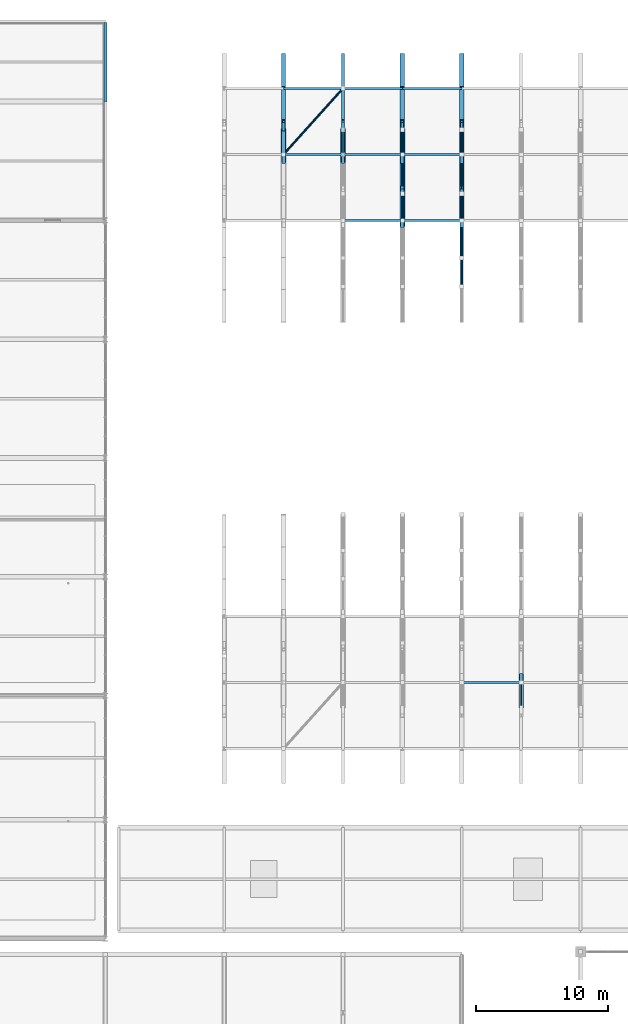
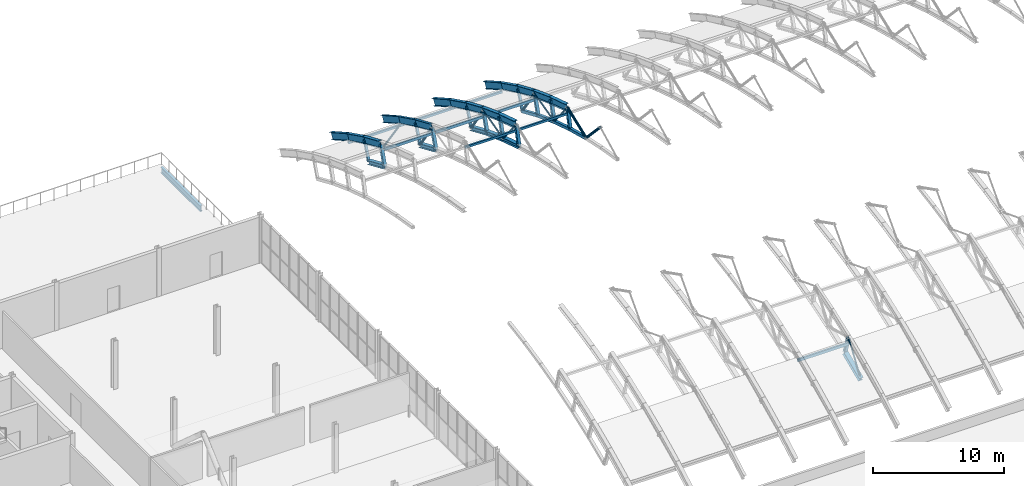
# One storey, part 38 of 103: 43 members, 17 beams.
"""IFC4 building model written with IfcOpenShell, lengths in metres."""

from ifc_helpers import new_model, si_unit, direction, frame, origin, origin_2d, place, context, subcontext, project, spatial, hollow_rectangle, hollow_circle, i_section, extrude, material, material_profile, profile_set, type_object, element, save


model = new_model("IFC4")

# Units and contexts
model_context = context("Model", 3, precision=1e-05, world=origin(), true_north=direction((0.0, 1.0)))
body_context = subcontext(model_context, "Body", "Model", "MODEL_VIEW")
ifc_project = project(units=[si_unit("LENGTHUNIT", "METRE"), si_unit("AREAUNIT", "SQUARE_METRE"), si_unit("VOLUMEUNIT", "CUBIC_METRE"), si_unit("PLANEANGLEUNIT", "RADIAN"), si_unit("MASSUNIT", "GRAM", prefix="KILO")], contexts=[model_context])

# Site, building, storey
site_placement = place(None, origin())
site = spatial("IfcSite", under=ifc_project, at=site_placement, CompositionType="ELEMENT")
building_placement = place(site_placement, origin())
building = spatial("IfcBuilding", under=site, at=building_placement, Name="Cazmaro Siding Exhibition Halls", CompositionType="ELEMENT")
storey_placement = place(building_placement, frame((0.0, 0.0, 16.5)))
storey = spatial("IfcBuildingStorey", under=building, at=storey_placement, Name="L03", CompositionType="ELEMENT", Elevation=16.5)

# Beams
ifc_material_1 = material(Name="Steel ASTM A992 Grade 50", Category="steel")
ifc_material_profile_1 = material_profile(ifc_material_1, i_section(OverallWidth=0.327880859375, OverallDepth=0.626953125, WebThickness=0.01708984375, FlangeThickness=0.028076171875, at=origin_2d()), Name="W24X146")
ifc_profile_set_1 = profile_set([ifc_material_profile_1], Name="Steel ASTM A992 Grade 50")
beam_type_1 = type_object("IfcBeamType", Name="AR-01", PredefinedType="USERDEFINED", material=ifc_profile_set_1)
beam_1_placement = place(storey_placement, frame((58.5, 109.0, 4.85498046875), z_axis=(0.0, 0.952769241759, -0.303695195811), x_axis=(-1.0, 0.0, 0.0)))
element("IfcBeam", 1, at=beam_1_placement, inside=storey, type_object=beam_type_1, Name="Space frame barrel vault arched rib AR-01 BM-0625", ObjectType="ARCHED RIB", PredefinedType="USERDEFINED", context=body_context, shape_type="SweptSolid", body=[
    extrude(i_section(OverallWidth=0.327880859375, OverallDepth=0.626953125, WebThickness=0.01708984375, FlangeThickness=0.028076171875, at=origin_2d()), origin(), (0.0, 0.0, 1.0), 2.6240234375),
])
beam_2_placement = place(storey_placement, frame((58.5, 111.5, 4.05810546875), z_axis=(0.0, 0.936509460339, -0.350642311615), x_axis=(-1.0, 0.0, 0.0)))
element("IfcBeam", 2, at=beam_2_placement, inside=storey, type_object=beam_type_1, Name="Space frame barrel vault arched rib AR-01 BM-0626", ObjectType="ARCHED RIB", PredefinedType="USERDEFINED", context=body_context, shape_type="SweptSolid", body=[
    extrude(i_section(OverallWidth=0.327880859375, OverallDepth=0.626953125, WebThickness=0.01708984375, FlangeThickness=0.028076171875, at=origin_2d()), origin(), (0.0, 0.0, 1.0), 2.66943359375),
])
beam_3_placement = place(storey_placement, frame((58.5, 114.0, 3.1220703125), z_axis=(0.0, 0.917729918626, -0.397204980405), x_axis=(-1.0, 0.0, 0.0)))
element("IfcBeam", 3, at=beam_3_placement, inside=storey, type_object=beam_type_1, Name="Space frame barrel vault arched rib AR-01 BM-0627", ObjectType="ARCHED RIB", PredefinedType="USERDEFINED", context=body_context, shape_type="SweptSolid", body=[
    extrude(i_section(OverallWidth=0.327880859375, OverallDepth=0.626953125, WebThickness=0.01708984375, FlangeThickness=0.028076171875, at=origin_2d()), origin(), (0.0, 0.0, 1.0), 2.72412109375),
])
beam_4_placement = place(storey_placement, frame((58.5, 116.5, 2.0400390625), z_axis=(0.0, 0.895996638269, -0.444060833908), x_axis=(-1.0, 0.0, 0.0)))
element("IfcBeam", 4, at=beam_4_placement, inside=storey, type_object=beam_type_1, Name="Space frame barrel vault arched rib AR-01 BM-0628", ObjectType="ARCHED RIB", PredefinedType="USERDEFINED", context=body_context, shape_type="SweptSolid", body=[
    extrude(i_section(OverallWidth=0.327880859375, OverallDepth=0.626953125, WebThickness=0.01708984375, FlangeThickness=0.028076171875, at=origin_2d()), origin(), (0.0, 0.0, 1.0), 2.790283203125),
])
beam_5_placement = place(storey_placement, frame((58.5, 119.0, 0.801025390625), z_axis=(0.0, 0.871320907359, -0.490713639916), x_axis=(-1.0, 0.0, 0.0)))
element("IfcBeam", 5, at=beam_5_placement, inside=storey, type_object=beam_type_1, Name="Space frame barrel vault arched rib AR-01 BM-0629", ObjectType="ARCHED RIB", PredefinedType="USERDEFINED", context=body_context, shape_type="SweptSolid", body=[
    extrude(i_section(OverallWidth=0.327880859375, OverallDepth=0.626953125, WebThickness=0.01708984375, FlangeThickness=0.028076171875, at=origin_2d()), origin(), (0.0, 0.0, 1.0), 2.869140625),
])
ifc_material_2 = material(Name="Steel ASTM A992 Grade 50", Category="steel")
ifc_material_profile_2 = material_profile(ifc_material_2, i_section(OverallWidth=0.324951171875, OverallDepth=0.612060546875, WebThickness=0.012939453125, FlangeThickness=0.01904296875, at=origin_2d()), Name="W24X104")
ifc_profile_set_2 = profile_set([ifc_material_profile_2], Name="Steel ASTM A992 Grade 50")
beam_type_2 = type_object("IfcBeamType", Name="AR-02", PredefinedType="USERDEFINED", material=ifc_profile_set_2)
beam_6_placement = place(storey_placement, frame((49.5, 114.0, 3.1220703125), z_axis=(0.0, 0.917729918626, -0.397204980405), x_axis=(-1.0, 0.0, 0.0)))
element("IfcBeam", 6, at=beam_6_placement, inside=storey, type_object=beam_type_2, Name="Space frame barrel vault arched rib AR-02 BM-0579", ObjectType="ARCHED RIB", PredefinedType="USERDEFINED", context=body_context, shape_type="SweptSolid", body=[
    extrude(i_section(OverallWidth=0.324951171875, OverallDepth=0.612060546875, WebThickness=0.012939453125, FlangeThickness=0.01904296875, at=origin_2d()), origin(), (0.0, 0.0, 1.0), 2.72412109375),
])
beam_7_placement = place(storey_placement, frame((49.5, 116.5, 2.0400390625), z_axis=(0.0, 0.895996638269, -0.444060833908), x_axis=(-1.0, 0.0, 0.0)))
element("IfcBeam", 7, at=beam_7_placement, inside=storey, type_object=beam_type_2, Name="Space frame barrel vault arched rib AR-02 BM-0580", ObjectType="ARCHED RIB", PredefinedType="USERDEFINED", context=body_context, shape_type="SweptSolid", body=[
    extrude(i_section(OverallWidth=0.324951171875, OverallDepth=0.612060546875, WebThickness=0.012939453125, FlangeThickness=0.01904296875, at=origin_2d()), origin(), (0.0, 0.0, 1.0), 2.790283203125),
])
beam_8_placement = place(storey_placement, frame((49.5, 119.0, 0.801025390625), z_axis=(0.0, 0.871320907359, -0.490713639916), x_axis=(-1.0, 0.0, 0.0)))
element("IfcBeam", 8, at=beam_8_placement, inside=storey, type_object=beam_type_2, Name="Space frame barrel vault arched rib AR-02 BM-0581", ObjectType="ARCHED RIB", PredefinedType="USERDEFINED", context=body_context, shape_type="SweptSolid", body=[
    extrude(i_section(OverallWidth=0.324951171875, OverallDepth=0.612060546875, WebThickness=0.012939453125, FlangeThickness=0.01904296875, at=origin_2d()), origin(), (0.0, 0.0, 1.0), 2.869140625),
])
beam_9_placement = place(storey_placement, frame((63.0, 109.0, 4.85498046875), z_axis=(0.0, 0.952769241759, -0.303695195811), x_axis=(-1.0, 0.0, 0.0)))
element("IfcBeam", 9, at=beam_9_placement, inside=storey, type_object=beam_type_2, Name="Space frame barrel vault arched rib AR-02 BM-0649", ObjectType="ARCHED RIB", PredefinedType="USERDEFINED", context=body_context, shape_type="SweptSolid", body=[
    extrude(i_section(OverallWidth=0.324951171875, OverallDepth=0.612060546875, WebThickness=0.012939453125, FlangeThickness=0.01904296875, at=origin_2d()), origin(), (0.0, 0.0, 1.0), 2.6240234375),
])
beam_10_placement = place(storey_placement, frame((63.0, 111.5, 4.05810546875), z_axis=(0.0, 0.936509460339, -0.350642311615), x_axis=(-1.0, 0.0, 0.0)))
element("IfcBeam", 10, at=beam_10_placement, inside=storey, type_object=beam_type_2, Name="Space frame barrel vault arched rib AR-02 BM-0650", ObjectType="ARCHED RIB", PredefinedType="USERDEFINED", context=body_context, shape_type="SweptSolid", body=[
    extrude(i_section(OverallWidth=0.324951171875, OverallDepth=0.612060546875, WebThickness=0.012939453125, FlangeThickness=0.01904296875, at=origin_2d()), origin(), (0.0, 0.0, 1.0), 2.66943359375),
])
beam_11_placement = place(storey_placement, frame((63.0, 114.0, 3.1220703125), z_axis=(0.0, 0.917729918626, -0.397204980405), x_axis=(-1.0, 0.0, 0.0)))
element("IfcBeam", 11, at=beam_11_placement, inside=storey, type_object=beam_type_2, Name="Space frame barrel vault arched rib AR-02 BM-0651", ObjectType="ARCHED RIB", PredefinedType="USERDEFINED", context=body_context, shape_type="SweptSolid", body=[
    extrude(i_section(OverallWidth=0.324951171875, OverallDepth=0.612060546875, WebThickness=0.012939453125, FlangeThickness=0.01904296875, at=origin_2d()), origin(), (0.0, 0.0, 1.0), 2.72412109375),
])
beam_12_placement = place(storey_placement, frame((63.0, 116.5, 2.0400390625), z_axis=(0.0, 0.895996638269, -0.444060833908), x_axis=(-1.0, 0.0, 0.0)))
element("IfcBeam", 12, at=beam_12_placement, inside=storey, type_object=beam_type_2, Name="Space frame barrel vault arched rib AR-02 BM-0652", ObjectType="ARCHED RIB", PredefinedType="USERDEFINED", context=body_context, shape_type="SweptSolid", body=[
    extrude(i_section(OverallWidth=0.324951171875, OverallDepth=0.612060546875, WebThickness=0.012939453125, FlangeThickness=0.01904296875, at=origin_2d()), origin(), (0.0, 0.0, 1.0), 2.790283203125),
])
beam_13_placement = place(storey_placement, frame((63.0, 119.0, 0.801025390625), z_axis=(0.0, 0.871320907359, -0.490713639916), x_axis=(-1.0, 0.0, 0.0)))
element("IfcBeam", 13, at=beam_13_placement, inside=storey, type_object=beam_type_2, Name="Space frame barrel vault arched rib AR-02 BM-0653", ObjectType="ARCHED RIB", PredefinedType="USERDEFINED", context=body_context, shape_type="SweptSolid", body=[
    extrude(i_section(OverallWidth=0.324951171875, OverallDepth=0.612060546875, WebThickness=0.012939453125, FlangeThickness=0.01904296875, at=origin_2d()), origin(), (0.0, 0.0, 1.0), 2.869140625),
])
ifc_material_3 = material(Name="Steel ASTM A992 Grade 50", Category="steel")
ifc_material_profile_3 = material_profile(ifc_material_3, i_section(OverallWidth=0.22900390625, OverallDepth=0.612060546875, WebThickness=0.011962890625, FlangeThickness=0.02001953125, at=origin_2d()), Name="W24X84")
ifc_profile_set_3 = profile_set([ifc_material_profile_3], Name="Steel ASTM A992 Grade 50")
beam_type_3 = type_object("IfcBeamType", Name="AR-03", PredefinedType="USERDEFINED", material=ifc_profile_set_3)
beam_14_placement = place(storey_placement, frame((54.0, 114.0, 3.1220703125), z_axis=(0.0, 0.917729918626, -0.397204980405), x_axis=(-1.0, 0.0, 0.0)))
element("IfcBeam", 14, at=beam_14_placement, inside=storey, type_object=beam_type_3, Name="Space frame barrel vault arched rib AR-03 BM-0603", ObjectType="ARCHED RIB", PredefinedType="USERDEFINED", context=body_context, shape_type="SweptSolid", body=[
    extrude(i_section(OverallWidth=0.22900390625, OverallDepth=0.612060546875, WebThickness=0.011962890625, FlangeThickness=0.02001953125, at=origin_2d()), origin(), (0.0, 0.0, 1.0), 2.72412109375),
])
beam_15_placement = place(storey_placement, frame((54.0, 116.5, 2.0400390625), z_axis=(0.0, 0.895996638269, -0.444060833908), x_axis=(-1.0, 0.0, 0.0)))
element("IfcBeam", 15, at=beam_15_placement, inside=storey, type_object=beam_type_3, Name="Space frame barrel vault arched rib AR-03 BM-0604", ObjectType="ARCHED RIB", PredefinedType="USERDEFINED", context=body_context, shape_type="SweptSolid", body=[
    extrude(i_section(OverallWidth=0.22900390625, OverallDepth=0.612060546875, WebThickness=0.011962890625, FlangeThickness=0.02001953125, at=origin_2d()), origin(), (0.0, 0.0, 1.0), 2.790283203125),
])
beam_16_placement = place(storey_placement, frame((54.0, 119.0, 0.801025390625), z_axis=(0.0, 0.871320907359, -0.490713639916), x_axis=(-1.0, 0.0, 0.0)))
element("IfcBeam", 16, at=beam_16_placement, inside=storey, type_object=beam_type_3, Name="Space frame barrel vault arched rib AR-03 BM-0605", ObjectType="ARCHED RIB", PredefinedType="USERDEFINED", context=body_context, shape_type="SweptSolid", body=[
    extrude(i_section(OverallWidth=0.22900390625, OverallDepth=0.612060546875, WebThickness=0.011962890625, FlangeThickness=0.02001953125, at=origin_2d()), origin(), (0.0, 0.0, 1.0), 2.869140625),
])
ifc_material_4 = material(Name="Steel ASTM A992 Grade 50", Category="steel")
ifc_material_profile_4 = material_profile(ifc_material_4, i_section(OverallWidth=0.214111328125, OverallDepth=0.549072265625, WebThickness=0.014892578125, FlangeThickness=0.02392578125, at=origin_2d()), Name="W21X93")
ifc_profile_set_4 = profile_set([ifc_material_profile_4], Name="Steel ASTM A992 Grade 50")
beam_type_4 = type_object("IfcBeamType", Name="B-01", PredefinedType="BEAM", material=ifc_profile_set_4)
beam_17_placement = place(storey_placement, frame((36.0, 118.0, -0.5439453125), z_axis=(0.0, 1.0, 0.0), x_axis=(-1.0, 0.0, 0.0)))
element("IfcBeam", 17, at=beam_17_placement, inside=storey, type_object=beam_type_4, Name="Beam B-01 BM-2277", PredefinedType="BEAM", context=body_context, shape_type="SweptSolid", body=[
    extrude(i_section(OverallWidth=0.214111328125, OverallDepth=0.549072265625, WebThickness=0.014892578125, FlangeThickness=0.02392578125, at=origin_2d()), origin(), (0.0, 0.0, 1.0), 6.0),
])

# Members
ifc_material_5 = material(Name="Steel ASTM A500 Grade C", Category="steel")
ifc_material_profile_5 = material_profile(ifc_material_5, hollow_rectangle(XDim=0.152099609375, YDim=0.202880859375, WallThickness=0.011962890625, at=origin_2d()), Name="HSS8X6X1/2")
ifc_profile_set_5 = profile_set([ifc_material_profile_5], Name="Steel ASTM A500 Grade C")
member_type_1 = type_object("IfcMemberType", Name="RP-01", PredefinedType="PURLIN", material=ifc_profile_set_5)
for number, where, z_axis, x_axis, name in (
    (18, (49.5, 119.0, 0.260986328125), (1.0, 0.0, 0.0), (0.0, 1.0, 0.0), "Space frame barrel vault purlin RP-01 MEM-1985"),
    (19, (54.0, 109.0, 4.31494140625), (1.0, 0.0, 0.0), (0.0, 1.0, 0.0), "Space frame barrel vault purlin RP-01 MEM-2000"),
    (20, (54.0, 119.0, 0.260986328125), (1.0, 0.0, 0.0), (0.0, 1.0, 0.0), "Space frame barrel vault purlin RP-01 MEM-2002"),
    (21, (58.5, 109.0, 4.31494140625), (1.0, 0.0, 0.0), (0.0, 1.0, 0.0), "Space frame barrel vault purlin RP-01 MEM-2011"),
    (22, (58.5, 119.0, 0.260986328125), (1.0, 0.0, 0.0), (0.0, 1.0, 0.0), "Space frame barrel vault purlin RP-01 MEM-2013"),
):
    element("IfcMember", number, at=place(storey_placement, frame(where, z_axis=z_axis, x_axis=x_axis)), inside=storey, type_object=member_type_1, Name=name, PredefinedType="PURLIN", context=body_context, shape_type="SweptSolid", body=[
        extrude(hollow_rectangle(XDim=0.152099609375, YDim=0.202880859375, WallThickness=0.011962890625, at=origin_2d()), origin(), (0.0, 0.0, 1.0), 4.5),
    ])
ifc_material_6 = material(Name="Steel ASTM A500 Grade C", Category="steel")
ifc_material_profile_6 = material_profile(ifc_material_6, hollow_rectangle(XDim=0.152099609375, YDim=0.25390625, WallThickness=0.011962890625, at=origin_2d()), Name="HSS10X6X1/2")
ifc_profile_set_6 = profile_set([ifc_material_profile_6], Name="Steel ASTM A500 Grade C")
member_type_2 = type_object("IfcMemberType", Name="RP-04", PredefinedType="PURLIN", material=ifc_profile_set_6)
for number, where, z_axis, x_axis, name in (
    (23, (49.5, 114.0, 2.58203125), (1.0, 0.0, 0.0), (0.0, 1.0, 0.0), "Space frame barrel vault purlin RP-04 MEM-1984"),
    (24, (54.0, 114.0, 2.58203125), (1.0, 0.0, 0.0), (0.0, 1.0, 0.0), "Space frame barrel vault purlin RP-04 MEM-2001"),
    (25, (58.5, 114.0, 2.58203125), (1.0, 0.0, 0.0), (0.0, 1.0, 0.0), "Space frame barrel vault purlin RP-04 MEM-2012"),
    (26, (63.0, 74.0, 2.58203125), (1.0, 0.0, 0.0), (0.0, 1.0, 0.0), "Space frame barrel vault purlin RP-04 MEM-2015"),
):
    element("IfcMember", number, at=place(storey_placement, frame(where, z_axis=z_axis, x_axis=x_axis)), inside=storey, type_object=member_type_2, Name=name, PredefinedType="PURLIN", context=body_context, shape_type="SweptSolid", body=[
        extrude(hollow_rectangle(XDim=0.152099609375, YDim=0.25390625, WallThickness=0.011962890625, at=origin_2d()), origin(), (0.0, 0.0, 1.0), 4.5),
    ])
ifc_material_7 = material(Name="Steel ASTM A500 Grade C", Category="steel")
ifc_material_profile_7 = material_profile(ifc_material_7, hollow_rectangle(XDim=0.25390625, YDim=0.25390625, WallThickness=0.014892578125, at=origin_2d()), Name="HSS10X10X5/8")
ifc_profile_set_7 = profile_set([ifc_material_profile_7], Name="Steel ASTM A500 Grade C")
member_type_3 = type_object("IfcMemberType", Name="TC-01", PredefinedType="CHORD", material=ifc_profile_set_7)
member_1_placement = place(storey_placement, frame((63.0, 106.14990234375, 3.760986328125), z_axis=(0.0, 0.966437683387, -0.256901156343), x_axis=(-1.0, 0.0, 0.0)))
element("IfcMember", 27, at=member_1_placement, inside=storey, type_object=member_type_3, Name="Space frame barrel vault bottom chord TC-01 MEM-0271", PredefinedType="CHORD", context=body_context, shape_type="SweptSolid", body=[
    extrude(hollow_rectangle(XDim=0.25390625, YDim=0.25390625, WallThickness=0.014892578125, at=origin_2d()), origin(), (0.0, 0.0, 1.0), 2.5146484375),
])
member_2_placement = place(storey_placement, frame((63.0, 108.580078125, 3.114990234375), z_axis=(0.0, 0.952692842525, -0.303934775573), x_axis=(-1.0, 0.0, 0.0)))
element("IfcMember", 28, at=member_2_placement, inside=storey, type_object=member_type_3, Name="Space frame barrel vault bottom chord TC-01 MEM-0273", PredefinedType="CHORD", context=body_context, shape_type="SweptSolid", body=[
    extrude(hollow_rectangle(XDim=0.25390625, YDim=0.25390625, WallThickness=0.014892578125, at=origin_2d()), origin(), (0.0, 0.0, 1.0), 2.549560546875),
])
member_3_placement = place(storey_placement, frame((63.0, 111.009033203125, 2.340087890625), z_axis=(0.0, 0.936588022869, -0.350432412053), x_axis=(-1.0, 0.0, 0.0)))
element("IfcMember", 29, at=member_3_placement, inside=storey, type_object=member_type_3, Name="Space frame barrel vault bottom chord TC-01 MEM-0275", PredefinedType="CHORD", context=body_context, shape_type="SweptSolid", body=[
    extrude(hollow_rectangle(XDim=0.25390625, YDim=0.25390625, WallThickness=0.014892578125, at=origin_2d()), origin(), (0.0, 0.0, 1.0), 2.594482421875),
])
member_4_placement = place(storey_placement, frame((63.0, 113.43896484375, 1.430908203125), z_axis=(0.0, 0.917689003843, -0.397299499403), x_axis=(-1.0, 0.0, 0.0)))
element("IfcMember", 30, at=member_4_placement, inside=storey, type_object=member_type_3, Name="Space frame barrel vault bottom chord TC-01 MEM-0277", PredefinedType="CHORD", context=body_context, shape_type="SweptSolid", body=[
    extrude(hollow_rectangle(XDim=0.25390625, YDim=0.25390625, WallThickness=0.014892578125, at=origin_2d()), origin(), (0.0, 0.0, 1.0), 2.64794921875),
])
ifc_material_8 = material(Name="Steel ASTM A992 Grade 50", Category="steel")
ifc_material_profile_8 = material_profile(ifc_material_8, i_section(OverallWidth=0.37109375, OverallDepth=0.364013671875, WebThickness=0.012939453125, FlangeThickness=0.02197265625, at=origin_2d()), Name="W14X109")
ifc_profile_set_8 = profile_set([ifc_material_profile_8], Name="Steel ASTM A992 Grade 50")
member_type_4 = type_object("IfcMemberType", Name="TC-06", PredefinedType="CHORD", material=ifc_profile_set_8)
for number, where, z_axis, x_axis, name in (
    (31, (49.5, 113.43896484375, 1.430908203125), (0.0, 0.917689003843, -0.397299499403), (-1.0, 0.0, 0.0), "Space frame barrel vault bottom chord TC-06 MEM-0068"),
    (32, (54.0, 113.43896484375, 1.430908203125), (0.0, 0.917689003843, -0.397299499403), (-1.0, 0.0, 0.0), "Space frame barrel vault bottom chord TC-06 MEM-0135"),
):
    element("IfcMember", number, at=place(storey_placement, frame(where, z_axis=z_axis, x_axis=x_axis)), inside=storey, type_object=member_type_4, Name=name, PredefinedType="CHORD", context=body_context, shape_type="SweptSolid", body=[
        extrude(i_section(OverallWidth=0.37109375, OverallDepth=0.364013671875, WebThickness=0.012939453125, FlangeThickness=0.02197265625, at=origin_2d()), origin(), (0.0, 0.0, 1.0), 2.64794921875),
    ])
member_5_placement = place(storey_placement, frame((58.5, 108.580078125, 3.114990234375), z_axis=(0.0, 0.952692842525, -0.303934775573), x_axis=(-1.0, 0.0, 0.0)))
element("IfcMember", 33, at=member_5_placement, inside=storey, type_object=member_type_4, Name="Space frame barrel vault bottom chord TC-06 MEM-0202", PredefinedType="CHORD", context=body_context, shape_type="SweptSolid", body=[
    extrude(i_section(OverallWidth=0.37109375, OverallDepth=0.364013671875, WebThickness=0.012939453125, FlangeThickness=0.02197265625, at=origin_2d()), origin(), (0.0, 0.0, 1.0), 2.549560546875),
])
member_6_placement = place(storey_placement, frame((58.5, 111.009033203125, 2.340087890625), z_axis=(0.0, 0.936588022869, -0.350432412053), x_axis=(-1.0, 0.0, 0.0)))
element("IfcMember", 34, at=member_6_placement, inside=storey, type_object=member_type_4, Name="Space frame barrel vault bottom chord TC-06 MEM-0204", PredefinedType="CHORD", context=body_context, shape_type="SweptSolid", body=[
    extrude(i_section(OverallWidth=0.37109375, OverallDepth=0.364013671875, WebThickness=0.012939453125, FlangeThickness=0.02197265625, at=origin_2d()), origin(), (0.0, 0.0, 1.0), 2.594482421875),
])
for number, where, z_axis, x_axis, name in (
    (35, (58.5, 113.43896484375, 1.430908203125), (0.0, 0.917689003843, -0.397299499403), (-1.0, 0.0, 0.0), "Space frame barrel vault bottom chord TC-06 MEM-0206"),
    (36, (67.5, 72.131103515625, 0.37890625), (0.0, 0.917689003843, 0.397299499403), (-1.0, 0.0, 0.0), "Space frame barrel vault bottom chord TC-06 MEM-0314"),
):
    element("IfcMember", number, at=place(storey_placement, frame(where, z_axis=z_axis, x_axis=x_axis)), inside=storey, type_object=member_type_4, Name=name, PredefinedType="CHORD", context=body_context, shape_type="SweptSolid", body=[
        extrude(i_section(OverallWidth=0.37109375, OverallDepth=0.364013671875, WebThickness=0.012939453125, FlangeThickness=0.02197265625, at=origin_2d()), origin(), (0.0, 0.0, 1.0), 2.64794921875),
    ])
ifc_material_9 = material(Name="Steel ASTM A500 Grade C", Category="steel")
ifc_material_profile_9 = material_profile(ifc_material_9, hollow_rectangle(XDim=0.202880859375, YDim=0.202880859375, WallThickness=0.011962890625, at=origin_2d()), Name="HSS8X8X1/2")
ifc_profile_set_9 = profile_set([ifc_material_profile_9], Name="Steel ASTM A500 Grade C")
member_type_5 = type_object("IfcMemberType", Name="TP-01", PredefinedType="POST", material=ifc_profile_set_9)
for number, where, z_axis, x_axis, name in (
    (37, (49.5, 115.868896484375, 0.37890625), (0.0, 0.355155331276, 0.934807301355), (-1.0, 0.0, 0.0), "Space frame barrel vault post TP-01 MEM-0092"),
    (38, (54.0, 115.868896484375, 0.37890625), (0.0, 0.355155331276, 0.934807301355), (-1.0, 0.0, 0.0), "Space frame barrel vault post TP-01 MEM-0163"),
    (39, (58.5, 115.868896484375, 0.37890625), (0.0, 0.355155331276, 0.934807301355), (-1.0, 0.0, 0.0), "Space frame barrel vault post TP-01 MEM-0234"),
    (40, (63.0, 115.868896484375, 0.37890625), (0.0, 0.355155331276, 0.934807301355), (-1.0, 0.0, 0.0), "Space frame barrel vault post TP-01 MEM-0305"),
):
    element("IfcMember", number, at=place(storey_placement, frame(where, z_axis=z_axis, x_axis=x_axis)), inside=storey, type_object=member_type_5, Name=name, PredefinedType="POST", context=body_context, shape_type="SweptSolid", body=[
        extrude(hollow_rectangle(XDim=0.202880859375, YDim=0.202880859375, WallThickness=0.011962890625, at=origin_2d()), origin(), (0.0, 0.0, 1.0), 1.777099609375),
    ])
ifc_material_10 = material(Name="Steel ASTM A992 Grade 50", Category="steel")
ifc_material_profile_10 = material_profile(ifc_material_10, i_section(OverallWidth=0.25390625, OverallDepth=0.25390625, WebThickness=0.009033203125, FlangeThickness=0.013916015625, at=origin_2d()), Name="W10X49")
ifc_profile_set_10 = profile_set([ifc_material_profile_10], Name="Steel ASTM A992 Grade 50")
member_type_6 = type_object("IfcMemberType", Name="TP-04", PredefinedType="POST", material=ifc_profile_set_10)
for number, where, z_axis, x_axis, name in (
    (41, (49.5, 113.43896484375, 1.430908203125), (0.0, 0.314870949103, 0.949134492794), (-1.0, 0.0, 0.0), "Space frame barrel vault post TP-04 MEM-0091"),
    (42, (54.0, 113.43896484375, 1.430908203125), (0.0, 0.314870949103, 0.949134492794), (-1.0, 0.0, 0.0), "Space frame barrel vault post TP-04 MEM-0162"),
):
    element("IfcMember", number, at=place(storey_placement, frame(where, z_axis=z_axis, x_axis=x_axis)), inside=storey, type_object=member_type_6, Name=name, PredefinedType="POST", context=body_context, shape_type="SweptSolid", body=[
        extrude(i_section(OverallWidth=0.25390625, OverallDepth=0.25390625, WebThickness=0.009033203125, FlangeThickness=0.013916015625, at=origin_2d()), origin(), (0.0, 0.0, 1.0), 1.78173828125),
    ])
member_7_placement = place(storey_placement, frame((58.5, 108.580078125, 3.114990234375), z_axis=(0.0, 0.234600533729, 0.972091862724), x_axis=(-1.0, 0.0, 0.0)))
element("IfcMember", 43, at=member_7_placement, inside=storey, type_object=member_type_6, Name="Space frame barrel vault post TP-04 MEM-0231", PredefinedType="POST", context=body_context, shape_type="SweptSolid", body=[
    extrude(i_section(OverallWidth=0.25390625, OverallDepth=0.25390625, WebThickness=0.009033203125, FlangeThickness=0.013916015625, at=origin_2d()), origin(), (0.0, 0.0, 1.0), 1.7900390625),
])
member_8_placement = place(storey_placement, frame((58.5, 111.009033203125, 2.340087890625), z_axis=(0.0, 0.274775266308, 0.961508477875), x_axis=(-1.0, 0.0, 0.0)))
element("IfcMember", 44, at=member_8_placement, inside=storey, type_object=member_type_6, Name="Space frame barrel vault post TP-04 MEM-0232", PredefinedType="POST", context=body_context, shape_type="SweptSolid", body=[
    extrude(i_section(OverallWidth=0.25390625, OverallDepth=0.25390625, WebThickness=0.009033203125, FlangeThickness=0.013916015625, at=origin_2d()), origin(), (0.0, 0.0, 1.0), 1.786865234375),
])
member_9_placement = place(storey_placement, frame((58.5, 113.43896484375, 1.430908203125), z_axis=(0.0, 0.314870949103, 0.949134492794), x_axis=(-1.0, 0.0, 0.0)))
element("IfcMember", 45, at=member_9_placement, inside=storey, type_object=member_type_6, Name="Space frame barrel vault post TP-04 MEM-0233", PredefinedType="POST", context=body_context, shape_type="SweptSolid", body=[
    extrude(i_section(OverallWidth=0.25390625, OverallDepth=0.25390625, WebThickness=0.009033203125, FlangeThickness=0.013916015625, at=origin_2d()), origin(), (0.0, 0.0, 1.0), 1.78173828125),
])
member_10_placement = place(storey_placement, frame((63.0, 108.580078125, 3.114990234375), z_axis=(0.0, 0.234600533729, 0.972091862724), x_axis=(-1.0, 0.0, 0.0)))
element("IfcMember", 46, at=member_10_placement, inside=storey, type_object=member_type_6, Name="Space frame barrel vault post TP-04 MEM-0302", PredefinedType="POST", context=body_context, shape_type="SweptSolid", body=[
    extrude(i_section(OverallWidth=0.25390625, OverallDepth=0.25390625, WebThickness=0.009033203125, FlangeThickness=0.013916015625, at=origin_2d()), origin(), (0.0, 0.0, 1.0), 1.7900390625),
])
member_11_placement = place(storey_placement, frame((63.0, 111.009033203125, 2.340087890625), z_axis=(0.0, 0.274775266308, 0.961508477875), x_axis=(-1.0, 0.0, 0.0)))
element("IfcMember", 47, at=member_11_placement, inside=storey, type_object=member_type_6, Name="Space frame barrel vault post TP-04 MEM-0303", PredefinedType="POST", context=body_context, shape_type="SweptSolid", body=[
    extrude(i_section(OverallWidth=0.25390625, OverallDepth=0.25390625, WebThickness=0.009033203125, FlangeThickness=0.013916015625, at=origin_2d()), origin(), (0.0, 0.0, 1.0), 1.786865234375),
])
for number, where, z_axis, x_axis, name in (
    (48, (63.0, 113.43896484375, 1.430908203125), (0.0, 0.314870949103, 0.949134492794), (-1.0, 0.0, 0.0), "Space frame barrel vault post TP-04 MEM-0304"),
    (49, (67.5, 74.56103515625, 1.430908203125), (0.0, -0.314870949103, 0.949134492794), (1.0, 0.0, 0.0), "Space frame barrel vault post TP-04 MEM-0359"),
):
    element("IfcMember", number, at=place(storey_placement, frame(where, z_axis=z_axis, x_axis=x_axis)), inside=storey, type_object=member_type_6, Name=name, PredefinedType="POST", context=body_context, shape_type="SweptSolid", body=[
        extrude(i_section(OverallWidth=0.25390625, OverallDepth=0.25390625, WebThickness=0.009033203125, FlangeThickness=0.013916015625, at=origin_2d()), origin(), (0.0, 0.0, 1.0), 1.78173828125),
    ])
ifc_material_11 = material(Name="Steel ASTM A500 Grade C", Category="steel")
ifc_material_profile_11 = material_profile(ifc_material_11, hollow_circle(Radius=0.109619140625, WallThickness=0.012939453125, at=origin_2d()), Name="PIPE8XS")
ifc_profile_set_11 = profile_set([ifc_material_profile_11], Name="Steel ASTM A500 Grade C")
member_type_7 = type_object("IfcMemberType", Name="WB-01", PredefinedType="BRACE", material=ifc_profile_set_11)
for number, where, z_axis, x_axis, name in (
    (50, (54.0, 114.0, 3.1220703125), (0.0, 0.563040090795, -0.826429583302), (-1.0, 0.0, 0.0), "Space frame barrel vault diagonal WB-01 MEM-0136"),
    (51, (58.5, 114.0, 3.1220703125), (0.0, 0.563040090795, -0.826429583302), (-1.0, 0.0, 0.0), "Space frame barrel vault diagonal WB-01 MEM-0207"),
):
    element("IfcMember", number, at=place(storey_placement, frame(where, z_axis=z_axis, x_axis=x_axis)), inside=storey, type_object=member_type_7, Name=name, PredefinedType="BRACE", context=body_context, shape_type="SweptSolid", body=[
        extrude(hollow_circle(Radius=0.109619140625, WallThickness=0.012939453125, at=origin_2d()), origin(), (0.0, 0.0, 1.0), 3.3193359375),
    ])
member_12_placement = place(storey_placement, frame((63.0, 104.0, 6.056884765625), z_axis=(0.0, 0.683517575744, -0.729934054315), x_axis=(-1.0, 0.0, 0.0)))
element("IfcMember", 52, at=member_12_placement, inside=storey, type_object=member_type_7, Name="Space frame barrel vault diagonal WB-01 MEM-0270", PredefinedType="BRACE", context=body_context, shape_type="SweptSolid", body=[
    extrude(hollow_circle(Radius=0.109619140625, WallThickness=0.012939453125, at=origin_2d()), origin(), (0.0, 0.0, 1.0), 3.145263671875),
])
member_13_placement = place(storey_placement, frame((63.0, 106.14990234375, 3.760986328125), z_axis=(0.0, 0.933586546586, 0.358352005761), x_axis=(-1.0, 0.0, 0.0)))
element("IfcMember", 53, at=member_13_placement, inside=storey, type_object=member_type_7, Name="Space frame barrel vault diagonal WB-01 MEM-0272", PredefinedType="BRACE", context=body_context, shape_type="SweptSolid", body=[
    extrude(hollow_circle(Radius=0.109619140625, WallThickness=0.012939453125, at=origin_2d()), origin(), (0.0, 0.0, 1.0), 3.052734375),
])
member_14_placement = place(storey_placement, frame((63.0, 114.0, 3.1220703125), z_axis=(0.0, 0.563040090795, -0.826429583302), x_axis=(-1.0, 0.0, 0.0)))
element("IfcMember", 54, at=member_14_placement, inside=storey, type_object=member_type_7, Name="Space frame barrel vault diagonal WB-01 MEM-0278", PredefinedType="BRACE", context=body_context, shape_type="SweptSolid", body=[
    extrude(hollow_circle(Radius=0.109619140625, WallThickness=0.012939453125, at=origin_2d()), origin(), (0.0, 0.0, 1.0), 3.3193359375),
])
ifc_material_12 = material(Name="Steel ASTM A500 Grade C", Category="steel")
ifc_material_profile_12 = material_profile(ifc_material_12, hollow_circle(Radius=0.083984375, WallThickness=0.01806640625, at=origin_2d()), Name="PIPE6XXS")
ifc_profile_set_12 = profile_set([ifc_material_profile_12], Name="Steel ASTM A500 Grade C")
member_type_8 = type_object("IfcMemberType", Name="WB-05", PredefinedType="BRACE", material=ifc_profile_set_12)
member_15_placement = place(storey_placement, frame((49.5, 114.0, 2.58203125), z_axis=(0.632379029545, 0.702643366161, -0.326173363384), x_axis=(-0.743294146247, 0.668964731622, 0.0)))
element("IfcMember", 55, at=member_15_placement, inside=storey, type_object=member_type_8, Name="Space frame barrel vault wind brace WB-05 MEM-1989", PredefinedType="BRACE", context=body_context, shape_type="SweptSolid", body=[
    extrude(hollow_circle(Radius=0.083984375, WallThickness=0.01806640625, at=origin_2d()), origin(), (0.0, 0.0, 1.0), 7.115966796875),
])
ifc_material_13 = material(Name="Steel ASTM A500 Grade C", Category="steel")
ifc_material_profile_13 = material_profile(ifc_material_13, hollow_circle(Radius=0.070556640625, WallThickness=0.01904296875, at=origin_2d()), Name="PIPE5XXS")
ifc_profile_set_13 = profile_set([ifc_material_profile_13], Name="Steel ASTM A500 Grade C")
member_type_9 = type_object("IfcMemberType", Name="WB-07", PredefinedType="BRACE", material=ifc_profile_set_13)
member_16_placement = place(storey_placement, frame((58.5, 109.0, 4.85498046875), z_axis=(0.0, 0.624149162907, -0.781305204412), x_axis=(-1.0, 0.0, 0.0)))
element("IfcMember", 56, at=member_16_placement, inside=storey, type_object=member_type_9, Name="Space frame barrel vault diagonal WB-07 MEM-0203", PredefinedType="BRACE", context=body_context, shape_type="SweptSolid", body=[
    extrude(hollow_circle(Radius=0.070556640625, WallThickness=0.01904296875, at=origin_2d()), origin(), (0.0, 0.0, 1.0), 3.21875),
])
member_17_placement = place(storey_placement, frame((58.5, 111.009033203125, 2.340087890625), z_axis=(0.0, 0.967480432857, 0.252945867802), x_axis=(-1.0, 0.0, 0.0)))
element("IfcMember", 57, at=member_17_placement, inside=storey, type_object=member_type_9, Name="Space frame barrel vault diagonal WB-07 MEM-0205", PredefinedType="BRACE", context=body_context, shape_type="SweptSolid", body=[
    extrude(hollow_circle(Radius=0.070556640625, WallThickness=0.01904296875, at=origin_2d()), origin(), (0.0, 0.0, 1.0), 3.091552734375),
])
member_18_placement = place(storey_placement, frame((63.0, 109.0, 4.85498046875), z_axis=(0.0, 0.624149162907, -0.781305204412), x_axis=(-1.0, 0.0, 0.0)))
element("IfcMember", 58, at=member_18_placement, inside=storey, type_object=member_type_9, Name="Space frame barrel vault diagonal WB-07 MEM-0274", PredefinedType="BRACE", context=body_context, shape_type="SweptSolid", body=[
    extrude(hollow_circle(Radius=0.070556640625, WallThickness=0.01904296875, at=origin_2d()), origin(), (0.0, 0.0, 1.0), 3.21875),
])
member_19_placement = place(storey_placement, frame((63.0, 111.009033203125, 2.340087890625), z_axis=(0.0, 0.967480432857, 0.252945867802), x_axis=(-1.0, 0.0, 0.0)))
element("IfcMember", 59, at=member_19_placement, inside=storey, type_object=member_type_9, Name="Space frame barrel vault diagonal WB-07 MEM-0276", PredefinedType="BRACE", context=body_context, shape_type="SweptSolid", body=[
    extrude(hollow_circle(Radius=0.070556640625, WallThickness=0.01904296875, at=origin_2d()), origin(), (0.0, 0.0, 1.0), 3.091552734375),
])
member_20_placement = place(storey_placement, frame((67.5, 72.131103515625, 0.37890625), z_axis=(0.0, 0.563040090795, 0.826429583302), x_axis=(-1.0, 0.0, 0.0)))
element("IfcMember", 60, at=member_20_placement, inside=storey, type_object=member_type_9, Name="Space frame barrel vault diagonal WB-07 MEM-0315", PredefinedType="BRACE", context=body_context, shape_type="SweptSolid", body=[
    extrude(hollow_circle(Radius=0.070556640625, WallThickness=0.01904296875, at=origin_2d()), origin(), (0.0, 0.0, 1.0), 3.3193359375),
])

save(model, "model.ifc")
